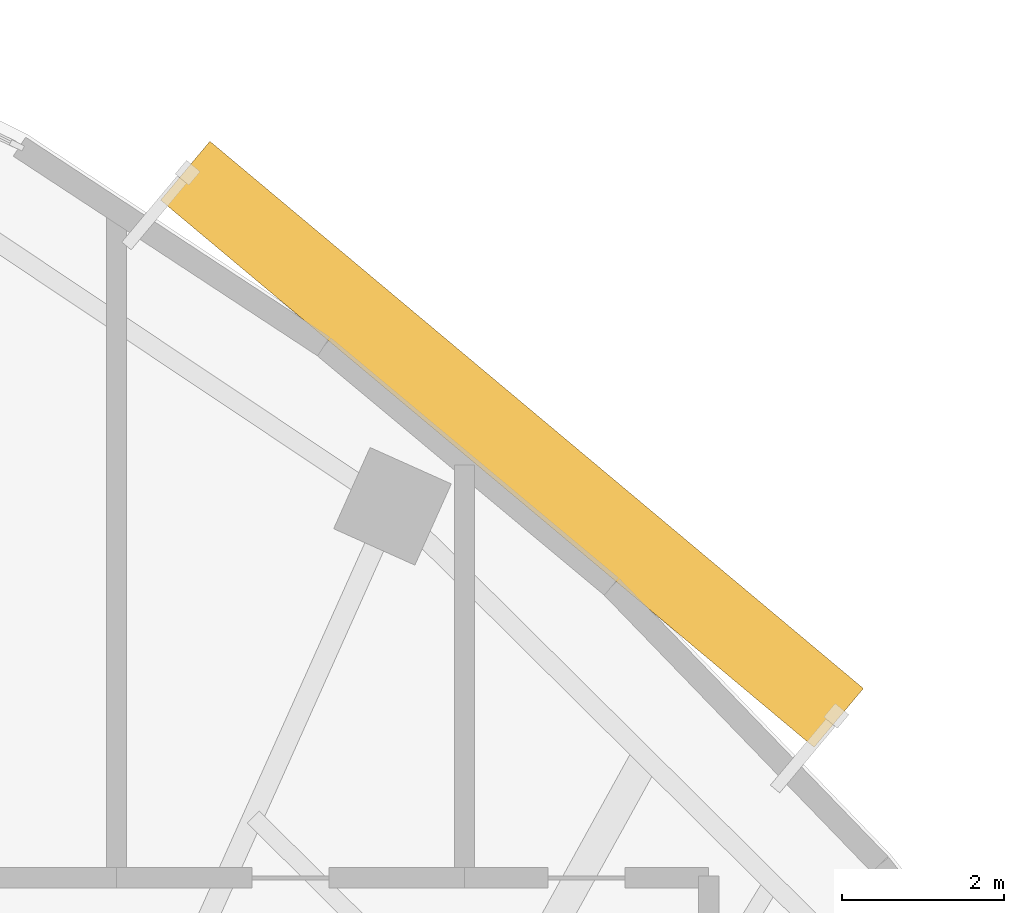
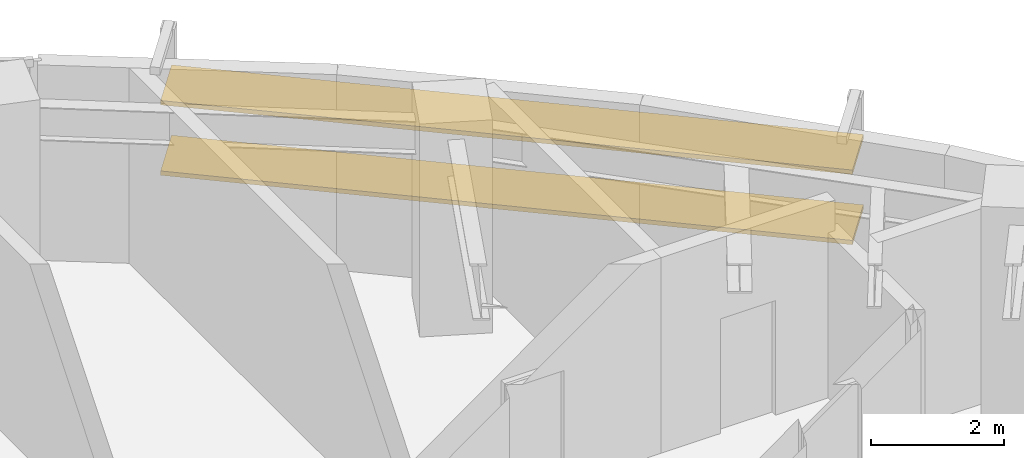
# One storey, part 13 of 13: 2 shading devices.
"""IFC4 building model written with IfcOpenShell, lengths in metres."""

from ifc_helpers import new_model, si_unit, direction, frame, origin, origin_2d, place, context, subcontext, project, spatial, rectangle, extrude, source, transform, mapped, material, material_profile, profile_set, type_object, element, save


model = new_model("IFC4")

# Units and contexts
model_context = context("Model", 3, precision=1e-05, world=origin(), true_north=direction((0.0, 1.0)))
body_context = subcontext(model_context, "Body", "Model", "MODEL_VIEW")
ifc_project = project(units=[si_unit("LENGTHUNIT", "METRE"), si_unit("AREAUNIT", "SQUARE_METRE"), si_unit("VOLUMEUNIT", "CUBIC_METRE"), si_unit("PLANEANGLEUNIT", "RADIAN"), si_unit("MASSUNIT", "GRAM", prefix="KILO")], contexts=[model_context])

# Site, building, storey
site_placement = place(None, origin())
site = spatial("IfcSite", under=ifc_project, at=site_placement, CompositionType="ELEMENT")
building_placement = place(site_placement, origin())
building = spatial("IfcBuilding", under=site, at=building_placement, Name="Breltana Convention Tower", CompositionType="ELEMENT")
storey_placement = place(building_placement, frame((0.0, 0.0, 185.699951171875)))
storey = spatial("IfcBuildingStorey", under=building, at=storey_placement, Name="L45", CompositionType="ELEMENT", Elevation=185.699951171875)

# Shading devices
ifc_material = material(Name="Limestone Warm Buff Honed", Category="masonry")
ifc_material_profile = material_profile(ifc_material, rectangle(XDim=0.949951171875, YDim=0.080078125, at=origin_2d()), Name="STN-LVR-950X80")
ifc_profile_set = profile_set([ifc_material_profile], Name="Limestone Warm Buff Honed")
shading_device_type = type_object("IfcShadingDeviceType", Name="SHD-OUTER-SKIN-LIMESTONE-950", PredefinedType="JALOUSIE", material=ifc_profile_set)
shared_shape = source(origin(), body_context, "Body", "SweptSolid", [
    extrude(rectangle(XDim=0.949951171875, YDim=0.080078125, at=origin_2d()), origin(), (0.0, 0.0, 1.0), 10.538330078125),
])
for number, where, z_axis, x_axis, name in (
    (1, (66.34814453125, 72.782958984375, 1.288818359375), (0.766705694316, -0.641998736996, 0.0), (0.641998736996, 0.766705694316, 0.0), "L45 outer skin warm limestone louvre 2.1"),
    (2, (66.34814453125, 72.782958984375, 2.57763671875), (0.766705694316, -0.641998736996, 0.0), (0.641998736996, 0.766705694316, 0.0), "L45 outer skin warm limestone louvre 2.2"),
):
    element("IfcShadingDevice", number, at=place(storey_placement, frame(where, z_axis=z_axis, x_axis=x_axis)), inside=storey, type_object=shading_device_type, Name=name, PredefinedType="JALOUSIE", context=body_context, shape_type="MappedRepresentation", body=[
        mapped(shared_shape, transform((0.0, 0.0, 0.0), scale=1.0)),
    ])

save(model, "model.ifc")
